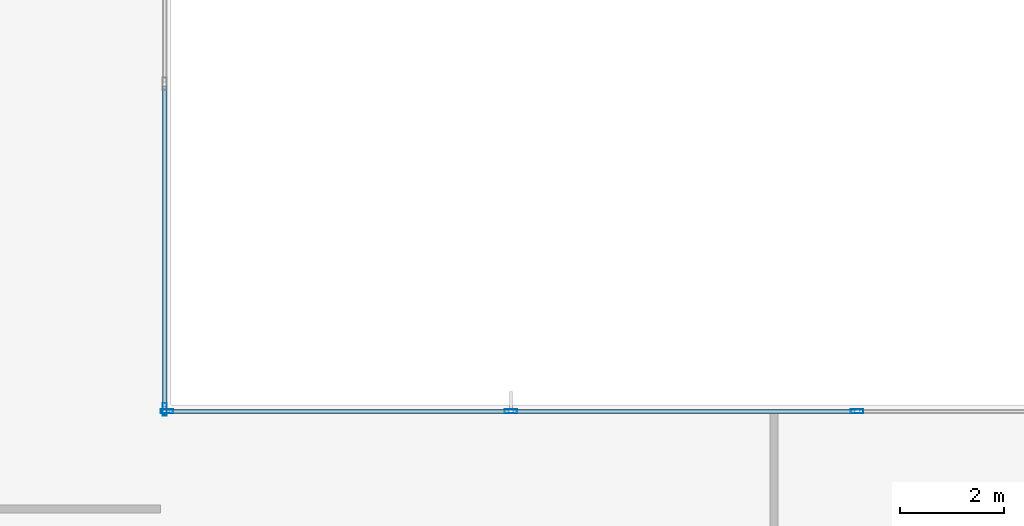
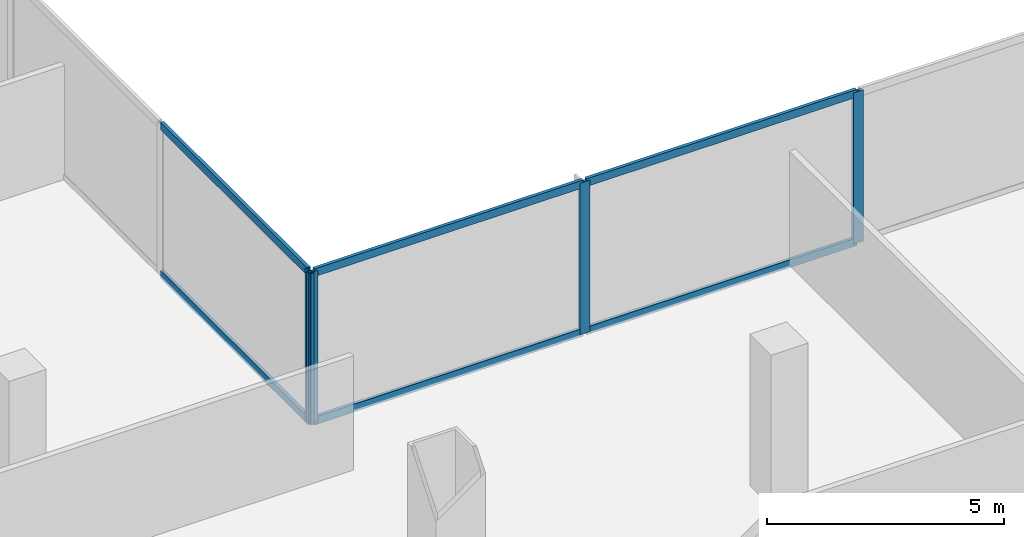
# One storey, part 9 of 31: 10 members, 2 elements without a shape of their own.
"""IFC4 building model written with IfcOpenShell, lengths in metres."""

from ifc_helpers import new_model, si_unit, direction, frame, origin, origin_2d, place, context, subcontext, project, spatial, hollow_rectangle, extrude, material, material_profile, profile_set, type_object, element, aggregate, save


model = new_model("IFC4")

# Units and contexts
model_context = context("Model", 3, precision=1e-05, world=origin(), true_north=direction((0.0, 1.0)))
body_context = subcontext(model_context, "Body", "Model", "MODEL_VIEW")
ifc_project = project(units=[si_unit("LENGTHUNIT", "METRE"), si_unit("AREAUNIT", "SQUARE_METRE"), si_unit("VOLUMEUNIT", "CUBIC_METRE"), si_unit("PLANEANGLEUNIT", "RADIAN"), si_unit("MASSUNIT", "GRAM", prefix="KILO")], contexts=[model_context])

# Site, building, storey
site_placement = place(None, origin())
site = spatial("IfcSite", under=ifc_project, at=site_placement, CompositionType="ELEMENT")
building_placement = place(site_placement, origin())
building = spatial("IfcBuilding", under=site, at=building_placement, Name="Cobrela Telecom Tower", CompositionType="ELEMENT")
storey_placement = place(building_placement, frame((0.0, 0.0, 9.449951171875)))
storey = spatial("IfcBuildingStorey", under=building, at=storey_placement, Name="L02", CompositionType="ELEMENT", Elevation=9.449951171875)

# Curtain wall, member
ifc_material = material(Name="Anodized Bronze Aluminium 6063-T6", Category="aluminium")
curtain_wall_type = type_object("IfcCurtainWallType", Name="CW-SYS-CONC", PredefinedType="USERDEFINED", material=ifc_material)
curtain_wall_1_placement = place(storey_placement, origin())
curtain_wall_1 = element("IfcCurtainWall", 1, at=curtain_wall_1_placement, inside=storey, type_object=curtain_wall_type, Name="L02 Unitised Bronze Curtain Wall 10", ObjectType="UNITISED CURTAIN WALL", PredefinedType="USERDEFINED")
ifc_material_profile_1 = material_profile(ifc_material, hollow_rectangle(XDim=0.080078125, YDim=0.239990234375, WallThickness=0.0048828125, at=origin_2d()), Name="ALU 80x240x5")
ifc_profile_set_1 = profile_set([ifc_material_profile_1], Name="Anodized Bronze Aluminium 6063-T6")
member_type_1 = type_object("IfcMemberType", Name="CW-SYS-CONC-MUL", PredefinedType="MULLION", material=ifc_profile_set_1)
member_1_placement = place(storey_placement, frame((50.280029296875, 28.719970703125, 0.0), z_axis=(0.0, 0.0, 1.0), x_axis=(1.0, 0.0, 0.0)))
member_1 = element("IfcMember", 2, at=member_1_placement, type_object=member_type_1, Name="CW-CONC mullion 4", PredefinedType="MULLION", context=body_context, shape_type="SweptSolid", body=[
    extrude(hollow_rectangle(XDim=0.080078125, YDim=0.239990234375, WallThickness=0.0048828125, at=origin_2d()), origin(), (0.0, 0.0, 1.0), 3.900146484375),
])

# Curtain wall, members
curtain_wall_2_placement = place(storey_placement, origin())
curtain_wall_2 = element("IfcCurtainWall", 3, at=curtain_wall_2_placement, inside=storey, type_object=curtain_wall_type, Name="L02 Unitised Bronze Curtain Wall 11", ObjectType="UNITISED CURTAIN WALL", PredefinedType="USERDEFINED")
member_2_placement = place(storey_placement, frame((50.320068359375, 28.679931640625, 0.0), z_axis=(0.0, 0.0, 1.0), x_axis=(0.0, 1.0, 0.0)))
member_2 = element("IfcMember", 4, at=member_2_placement, type_object=member_type_1, Name="CW-CONC mullion 1", PredefinedType="MULLION", context=body_context, shape_type="SweptSolid", body=[
    extrude(hollow_rectangle(XDim=0.080078125, YDim=0.239990234375, WallThickness=0.0048828125, at=origin_2d()), origin(), (0.0, 0.0, 1.0), 3.900146484375),
])
member_3_placement = place(storey_placement, frame((56.93994140625, 28.679931640625, 0.0), z_axis=(0.0, 0.0, 1.0), x_axis=(0.0, 1.0, 0.0)))
member_3 = element("IfcMember", 5, at=member_3_placement, type_object=member_type_1, Name="CW-CONC mullion 2", PredefinedType="MULLION", context=body_context, shape_type="SweptSolid", body=[
    extrude(hollow_rectangle(XDim=0.080078125, YDim=0.239990234375, WallThickness=0.0048828125, at=origin_2d()), origin(), (0.0, 0.0, 1.0), 3.900146484375),
])
member_4_placement = place(storey_placement, frame((63.60009765625, 28.679931640625, 0.0), z_axis=(0.0, 0.0, 1.0), x_axis=(0.0, 1.0, 0.0)))
member_4 = element("IfcMember", 6, at=member_4_placement, type_object=member_type_1, Name="CW-CONC mullion 3", PredefinedType="MULLION", context=body_context, shape_type="SweptSolid", body=[
    extrude(hollow_rectangle(XDim=0.080078125, YDim=0.239990234375, WallThickness=0.0048828125, at=origin_2d()), origin(), (0.0, 0.0, 1.0), 3.900146484375),
])

# Member
ifc_material_profile_2 = material_profile(ifc_material, hollow_rectangle(XDim=0.080078125, YDim=0.199951171875, WallThickness=0.00390625, at=origin_2d()), Name="ALU 80x200x4")
ifc_profile_set_2 = profile_set([ifc_material_profile_2], Name="Anodized Bronze Aluminium 6063-T6")
member_type_2 = type_object("IfcMemberType", Name="CW-SYS-CONC-TRN", PredefinedType="USERDEFINED", material=ifc_profile_set_2)
member_5_placement = place(storey_placement, frame((50.280029296875, 34.93994140625, 0.0400390625), z_axis=(0.0, -1.0, 0.0), x_axis=(1.0, 0.0, 0.0)))
member_5 = element("IfcMember", 7, at=member_5_placement, type_object=member_type_2, Name="CW-CONC transom 3.1", ObjectType="TRANSOM", PredefinedType="USERDEFINED", context=body_context, shape_type="SweptSolid", body=[
    extrude(hollow_rectangle(XDim=0.080078125, YDim=0.199951171875, WallThickness=0.00390625, at=origin_2d()), origin(), (0.0, 0.0, 1.0), 6.179931640625),
])

member_6_placement = place(storey_placement, frame((50.280029296875, 34.93994140625, 3.860107421875), z_axis=(0.0, -1.0, 0.0), x_axis=(1.0, 0.0, 0.0)))
member_6 = element("IfcMember", 8, at=member_6_placement, type_object=member_type_2, Name="CW-CONC transom 3.2", ObjectType="TRANSOM", PredefinedType="USERDEFINED", context=body_context, shape_type="SweptSolid", body=[
    extrude(hollow_rectangle(XDim=0.080078125, YDim=0.199951171875, WallThickness=0.00390625, at=origin_2d()), origin(), (0.0, 0.0, 1.0), 6.179931640625),
])

aggregate(curtain_wall_1, [member_1, member_5, member_6])

member_7_placement = place(storey_placement, frame((50.360107421875, 28.679931640625, 0.0400390625), z_axis=(1.0, 0.0, 0.0), x_axis=(0.0, 1.0, 0.0)))
member_7 = element("IfcMember", 9, at=member_7_placement, type_object=member_type_2, Name="CW-CONC transom 1.1", ObjectType="TRANSOM", PredefinedType="USERDEFINED", context=body_context, shape_type="SweptSolid", body=[
    extrude(hollow_rectangle(XDim=0.080078125, YDim=0.199951171875, WallThickness=0.00390625, at=origin_2d()), origin(), (0.0, 0.0, 1.0), 6.539794921875),
])

member_8_placement = place(storey_placement, frame((50.360107421875, 28.679931640625, 3.860107421875), z_axis=(1.0, 0.0, 0.0), x_axis=(0.0, 1.0, 0.0)))
member_8 = element("IfcMember", 10, at=member_8_placement, type_object=member_type_2, Name="CW-CONC transom 1.2", ObjectType="TRANSOM", PredefinedType="USERDEFINED", context=body_context, shape_type="SweptSolid", body=[
    extrude(hollow_rectangle(XDim=0.080078125, YDim=0.199951171875, WallThickness=0.00390625, at=origin_2d()), origin(), (0.0, 0.0, 1.0), 6.539794921875),
])

member_9_placement = place(storey_placement, frame((56.97998046875, 28.679931640625, 0.0400390625), z_axis=(1.0, 0.0, 0.0), x_axis=(0.0, 1.0, 0.0)))
member_9 = element("IfcMember", 11, at=member_9_placement, type_object=member_type_2, Name="CW-CONC transom 2.1", ObjectType="TRANSOM", PredefinedType="USERDEFINED", context=body_context, shape_type="SweptSolid", body=[
    extrude(hollow_rectangle(XDim=0.080078125, YDim=0.199951171875, WallThickness=0.00390625, at=origin_2d()), origin(), (0.0, 0.0, 1.0), 6.580078125),
])

member_10_placement = place(storey_placement, frame((56.97998046875, 28.679931640625, 3.860107421875), z_axis=(1.0, 0.0, 0.0), x_axis=(0.0, 1.0, 0.0)))
member_10 = element("IfcMember", 12, at=member_10_placement, type_object=member_type_2, Name="CW-CONC transom 2.2", ObjectType="TRANSOM", PredefinedType="USERDEFINED", context=body_context, shape_type="SweptSolid", body=[
    extrude(hollow_rectangle(XDim=0.080078125, YDim=0.199951171875, WallThickness=0.00390625, at=origin_2d()), origin(), (0.0, 0.0, 1.0), 6.580078125),
])

aggregate(curtain_wall_2, [member_2, member_3, member_4, member_7, member_8, member_9, member_10])

save(model, "model.ifc")
